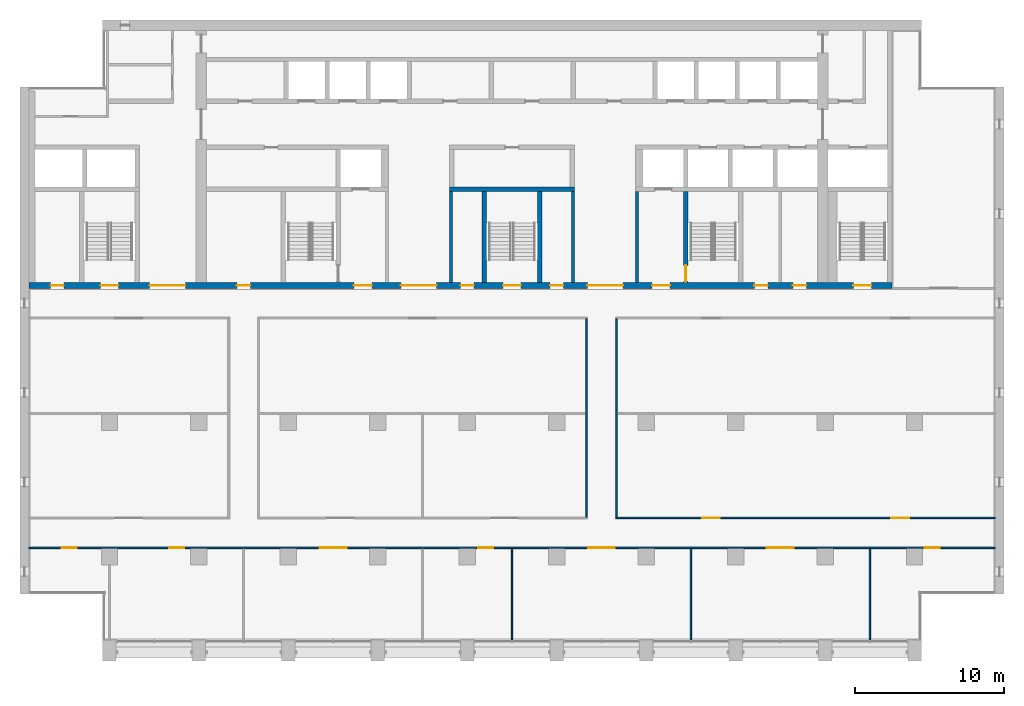
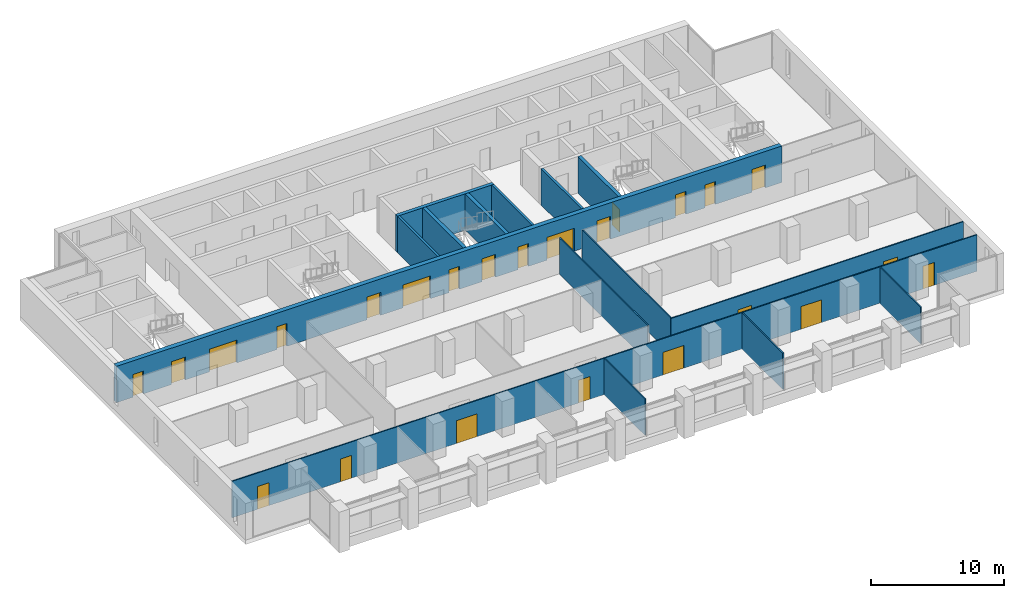
# One storey, part 9 of 17: 24 doors, 15 walls, 24 openings.
"""IFC4 building model written with IfcOpenShell, lengths in metres."""

from ifc_helpers import new_model, si_unit, direction, frame, frame_2d, origin, place, context, subcontext, project, spatial, rectangle, extrude, material, layer, layer_set, type_object, element, fill, save


model = new_model("IFC4")

# Units and contexts
model_context = context("Model", 3, precision=1e-05, world=origin(), true_north=direction((0.0, 1.0)))
body_context = subcontext(model_context, "Body", "Model", "MODEL_VIEW")
ifc_project = project(units=[si_unit("LENGTHUNIT", "METRE"), si_unit("AREAUNIT", "SQUARE_METRE"), si_unit("VOLUMEUNIT", "CUBIC_METRE"), si_unit("PLANEANGLEUNIT", "RADIAN"), si_unit("MASSUNIT", "GRAM", prefix="KILO")], contexts=[model_context])

# Site, building, storey
site_placement = place(None, origin())
site = spatial("IfcSite", under=ifc_project, at=site_placement, CompositionType="ELEMENT")
building_placement = place(site_placement, origin())
building = spatial("IfcBuilding", under=site, at=building_placement, Name="Calvaro Tower", CompositionType="ELEMENT")
storey_placement = place(building_placement, frame((0.0, 0.0, 196.75)))
storey = spatial("IfcBuildingStorey", under=building, at=storey_placement, Name="L49", CompositionType="ELEMENT", Elevation=196.75)

# Walls
ifc_material_1 = material(Name="Blockwork partition", Category="masonry")
ifc_layer_1 = layer(ifc_material_1, 0.199951171875)
ifc_layer_set_1 = layer_set([ifc_layer_1], Name="Blockwork partition")
wall_type_1 = type_object("IfcWallType", Name="Core partition 200 REI 120", PredefinedType="PARTITIONING", material=ifc_layer_set_1)
for number, where, z_axis, x_axis, name in (
    (1, (34.89990234375, 28.39990234375, 0.0), (0.0, 0.0, 1.0), (0.0, 1.0, 0.0), "Core partition"),
    (2, (43.10009765625, 28.39990234375, 0.0), (0.0, 0.0, 1.0), (0.0, 1.0, 0.0), "Core partition"),
    (3, (47.39990234375, 28.39990234375, 0.0), (0.0, 0.0, 1.0), (0.0, 1.0, 0.0), "Core partition"),
):
    element("IfcWall", number, at=place(storey_placement, frame(where, z_axis=z_axis, x_axis=x_axis)), inside=storey, type_object=wall_type_1, Name=name, PredefinedType="PARTITIONING", context=body_context, shape_type="SweptSolid", body=[
        extrude(rectangle(XDim=6.10009765625, YDim=0.199951171875, at=frame_2d((3.050048828125, 0.0))), origin(), (0.0, 0.0, 1.0), 3.35009765625),
    ])
ifc_material_2 = material(Name="Concrete C50/60", Category="concrete")
ifc_layer_2 = layer(ifc_material_2, 0.300048828125)
ifc_layer_set_2 = layer_set([ifc_layer_2], Name="Concrete C50/60")
wall_type_2 = type_object("IfcWallType", Name="Core wall C50/60 300", PredefinedType="SHEAR", material=ifc_layer_set_2)
for number, where, z_axis, x_axis, name in (
    (4, (37.14990234375, 28.39990234375, 0.0), (0.0, 0.0, 1.0), (0.0, 1.0, 0.0), "Core wall, stair enclosure"),
    (5, (40.85009765625, 28.39990234375, 0.0), (0.0, 0.0, 1.0), (0.0, 1.0, 0.0), "Core wall, stair enclosure"),
):
    element("IfcWall", number, at=place(storey_placement, frame(where, z_axis=z_axis, x_axis=x_axis)), inside=storey, type_object=wall_type_2, Name=name, PredefinedType="SHEAR", context=body_context, shape_type="SweptSolid", body=[
        extrude(rectangle(XDim=6.10009765625, YDim=0.300048828125, at=frame_2d((3.050048828125, 0.0))), origin(), (0.0, 0.0, 1.0), 3.35009765625),
    ])

# Wall, opening, door
wall_1_placement = place(storey_placement, frame((50.64990234375, 34.5, 0.0), z_axis=(0.0, 0.0, 1.0), x_axis=(0.0, -1.0, 0.0)))
wall_1 = element("IfcWall", 6, at=wall_1_placement, inside=storey, type_object=wall_type_2, Name="Core wall, stair enclosure", PredefinedType="SHEAR", context=body_context, shape_type="SweptSolid", body=[
    extrude(rectangle(XDim=6.10009765625, YDim=0.300048828125, at=frame_2d((3.050048828125, 0.0))), origin(), (0.0, 0.0, 1.0), 3.35009765625),
])
opening_1_placement = place(wall_1_placement, frame((4.949951171875, 0.0, 0.0)))
opening_1 = element("IfcOpeningElement", 7, at=opening_1_placement, cuts=wall_1, Name="Opening FD11D", PredefinedType="OPENING", context=body_context, shape_type="SweptSolid", body=[
    extrude(rectangle(XDim=1.10009765625, YDim=2.10009765625, at=frame_2d((0.550048828125, 1.050048828125))), frame((0.0, 0.159912109375, 0.0), z_axis=(0.0, -1.0, 0.0), x_axis=(1.0, 0.0, 0.0)), (0.0, 0.0, 1.0), 0.320068359375),
])
ifc_material_3 = material(Name="Steel door set", Category="steel")
door_type_1 = type_object("IfcDoorType", Name="Fire door 1100 FD30S", OperationType="SINGLE_SWING_LEFT", PredefinedType="DOOR", material=ifc_material_3)
door_1_placement = place(opening_1_placement, origin())
door_1 = element("IfcDoor", 8, at=door_1_placement, inside=storey, type_object=door_type_1, Name="Fire door", OperationType="SINGLE_SWING_RIGHT", OverallHeight=2.10009765625, OverallWidth=1.10009765625, PredefinedType="DOOR", context=body_context, shape_type="SweptSolid", body=[
    extrude(rectangle(XDim=1.10009765625, YDim=2.10009765625, at=frame_2d((0.550048828125, 1.050048828125))), frame((0.0, 0.02490234375, 0.0), z_axis=(0.0, -1.0, 0.0), x_axis=(1.0, 0.0, 0.0)), (0.0, 0.0, 1.0), 0.050048828125),
])
fill(opening_1, door_1)

# Wall
wall_2_placement = place(storey_placement, frame((34.800048828125, 34.64990234375, 0.0), z_axis=(0.0, 0.0, 1.0), x_axis=(1.0, 0.0, 0.0)))
element("IfcWall", 9, at=wall_2_placement, inside=storey, type_object=wall_type_2, Name="Core wall, lift shaft", PredefinedType="SHEAR", context=body_context, shape_type="SweptSolid", body=[
    extrude(rectangle(XDim=8.39990234375, YDim=0.300048828125, at=frame_2d((4.199951171875, 0.0))), origin(), (0.0, 0.0, 1.0), 3.35009765625),
])

# Wall, openings, doors
ifc_material_4 = material(Name="Concrete C50/60", Category="concrete")
ifc_layer_3 = layer(ifc_material_4, 0.39990234375)
ifc_layer_set_3 = layer_set([ifc_layer_3], Name="Concrete C50/60")
wall_type_3 = type_object("IfcWallType", Name="Core wall C50/60 400", PredefinedType="SHEAR", material=ifc_layer_set_3)
wall_3_placement = place(storey_placement, frame((6.60009765625, 28.199951171875, 0.0), z_axis=(0.0, 0.0, 1.0), x_axis=(1.0, 0.0, 0.0)))
wall_3 = element("IfcWall", 10, at=wall_3_placement, inside=storey, type_object=wall_type_3, Name="Core wall, front", PredefinedType="SHEAR", context=body_context, shape_type="SweptSolid", body=[
    extrude(rectangle(XDim=57.89990234375, YDim=0.39990234375, at=frame_2d((28.949951171875, 0.0))), origin(), (0.0, 0.0, 1.0), 3.35009765625),
])
opening_2_placement = place(wall_3_placement, frame((13.949951171875, 0.0, 0.0)))
opening_2 = element("IfcOpeningElement", 11, at=opening_2_placement, cuts=wall_3, Name="Opening RD9E", PredefinedType="OPENING", context=body_context, shape_type="SweptSolid", body=[
    extrude(rectangle(XDim=0.89990234375, YDim=2.10009765625, at=frame_2d((0.449951171875, 1.050048828125))), frame((0.0, 0.2099609375, 0.0), z_axis=(0.0, -1.0, 0.0), x_axis=(1.0, 0.0, 0.0)), (0.0, 0.0, 1.0), 0.419921875),
])
opening_3_placement = place(wall_3_placement, frame((48.66259765625, 0.0, 0.0)))
opening_3 = element("IfcOpeningElement", 12, at=opening_3_placement, cuts=wall_3, Name="Opening RD9C", PredefinedType="OPENING", context=body_context, shape_type="SweptSolid", body=[
    extrude(rectangle(XDim=0.89990234375, YDim=2.10009765625, at=frame_2d((0.449951171875, 1.050048828125))), frame((0.0, 0.2099609375, 0.0), z_axis=(0.0, -1.0, 0.0), x_axis=(1.0, 0.0, 0.0)), (0.0, 0.0, 1.0), 0.419921875),
])
opening_4_placement = place(wall_3_placement, frame((51.237548828125, 0.0, 0.0)))
opening_4 = element("IfcOpeningElement", 13, at=opening_4_placement, cuts=wall_3, Name="Opening RD9C", PredefinedType="OPENING", context=body_context, shape_type="SweptSolid", body=[
    extrude(rectangle(XDim=0.89990234375, YDim=2.10009765625, at=frame_2d((0.449951171875, 1.050048828125))), frame((0.0, 0.2099609375, 0.0), z_axis=(0.0, -1.0, 0.0), x_axis=(1.0, 0.0, 0.0)), (0.0, 0.0, 1.0), 0.419921875),
])
opening_5_placement = place(wall_3_placement, frame((1.449951171875, 0.0, 0.0)))
opening_5 = element("IfcOpeningElement", 14, at=opening_5_placement, cuts=wall_3, Name="Opening RD9C", PredefinedType="OPENING", context=body_context, shape_type="SweptSolid", body=[
    extrude(rectangle(XDim=0.89990234375, YDim=2.10009765625, at=frame_2d((0.449951171875, 1.050048828125))), frame((0.0, 0.2099609375, 0.0), z_axis=(0.0, -1.0, 0.0), x_axis=(1.0, 0.0, 0.0)), (0.0, 0.0, 1.0), 0.419921875),
])
opening_6_placement = place(wall_3_placement, frame((4.800048828125, 0.0, 0.0)))
opening_6 = element("IfcOpeningElement", 15, at=opening_6_placement, cuts=wall_3, Name="Opening SD12D", PredefinedType="OPENING", context=body_context, shape_type="SweptSolid", body=[
    extrude(rectangle(XDim=1.199951171875, YDim=2.10009765625, at=frame_2d((0.60009765625, 1.050048828125))), frame((0.0, 0.2099609375, 0.0), z_axis=(0.0, -1.0, 0.0), x_axis=(1.0, 0.0, 0.0)), (0.0, 0.0, 1.0), 0.419921875),
])
opening_7_placement = place(wall_3_placement, frame((31.800048828125, 0.0, 0.0)))
opening_7 = element("IfcOpeningElement", 16, at=opening_7_placement, cuts=wall_3, Name="Opening SD12D", PredefinedType="OPENING", context=body_context, shape_type="SweptSolid", body=[
    extrude(rectangle(XDim=1.199951171875, YDim=2.10009765625, at=frame_2d((0.60009765625, 1.050048828125))), frame((0.0, 0.2099609375, 0.0), z_axis=(0.0, -1.0, 0.0), x_axis=(1.0, 0.0, 0.0)), (0.0, 0.0, 1.0), 0.419921875),
])
opening_8_placement = place(wall_3_placement, frame((55.300048828125, 0.0, 0.0)))
opening_8 = element("IfcOpeningElement", 17, at=opening_8_placement, cuts=wall_3, Name="Opening SD12D", PredefinedType="OPENING", context=body_context, shape_type="SweptSolid", body=[
    extrude(rectangle(XDim=1.199951171875, YDim=2.10009765625, at=frame_2d((0.60009765625, 1.050048828125))), frame((0.0, 0.2099609375, 0.0), z_axis=(0.0, -1.0, 0.0), x_axis=(1.0, 0.0, 0.0)), (0.0, 0.0, 1.0), 0.419921875),
])
opening_9_placement = place(wall_3_placement, frame((21.800048828125, 0.0, 0.0)))
opening_9 = element("IfcOpeningElement", 18, at=opening_9_placement, cuts=wall_3, Name="Opening FD12F", PredefinedType="OPENING", context=body_context, shape_type="SweptSolid", body=[
    extrude(rectangle(XDim=1.199951171875, YDim=2.10009765625, at=frame_2d((0.60009765625, 1.050048828125))), frame((0.0, 0.2099609375, 0.0), z_axis=(0.0, -1.0, 0.0), x_axis=(1.0, 0.0, 0.0)), (0.0, 0.0, 1.0), 0.419921875),
])
opening_10_placement = place(wall_3_placement, frame((41.800048828125, 0.0, 0.0)))
opening_10 = element("IfcOpeningElement", 19, at=opening_10_placement, cuts=wall_3, Name="Opening FD12F", PredefinedType="OPENING", context=body_context, shape_type="SweptSolid", body=[
    extrude(rectangle(XDim=1.199951171875, YDim=2.10009765625, at=frame_2d((0.60009765625, 1.050048828125))), frame((0.0, 0.2099609375, 0.0), z_axis=(0.0, -1.0, 0.0), x_axis=(1.0, 0.0, 0.0)), (0.0, 0.0, 1.0), 0.419921875),
])
opening_11_placement = place(wall_3_placement, frame((24.949951171875, 0.0, 0.0)))
opening_11 = element("IfcOpeningElement", 20, at=opening_11_placement, cuts=wall_3, Name="Opening DD24D", PredefinedType="OPENING", context=body_context, shape_type="SweptSolid", body=[
    extrude(rectangle(XDim=2.39990234375, YDim=2.10009765625, at=frame_2d((1.199951171875, 1.050048828125))), frame((0.0, 0.2099609375, 0.0), z_axis=(0.0, -1.0, 0.0), x_axis=(1.0, 0.0, 0.0)), (0.0, 0.0, 1.0), 0.419921875),
])
opening_12_placement = place(wall_3_placement, frame((37.449951171875, 0.0, 0.0)))
opening_12 = element("IfcOpeningElement", 21, at=opening_12_placement, cuts=wall_3, Name="Opening DD24D", PredefinedType="OPENING", context=body_context, shape_type="SweptSolid", body=[
    extrude(rectangle(XDim=2.39990234375, YDim=2.10009765625, at=frame_2d((1.199951171875, 1.050048828125))), frame((0.0, 0.2099609375, 0.0), z_axis=(0.0, -1.0, 0.0), x_axis=(1.0, 0.0, 0.0)), (0.0, 0.0, 1.0), 0.419921875),
])
opening_13_placement = place(wall_3_placement, frame((8.10009765625, 0.0, 0.0)))
opening_13 = element("IfcOpeningElement", 22, at=opening_13_placement, cuts=wall_3, Name="Opening DD24D", PredefinedType="OPENING", context=body_context, shape_type="SweptSolid", body=[
    extrude(rectangle(XDim=2.39990234375, YDim=2.10009765625, at=frame_2d((1.199951171875, 1.050048828125))), frame((0.0, 0.2099609375, 0.0), z_axis=(0.0, -1.0, 0.0), x_axis=(1.0, 0.0, 0.0)), (0.0, 0.0, 1.0), 0.419921875),
])
opening_14_placement = place(wall_3_placement, frame((28.949951171875, 0.0, 0.0)))
opening_14 = element("IfcOpeningElement", 23, at=opening_14_placement, cuts=wall_3, Name="Opening RD9E", PredefinedType="OPENING", context=body_context, shape_type="SweptSolid", body=[
    extrude(rectangle(XDim=0.89990234375, YDim=2.10009765625, at=frame_2d((0.449951171875, 1.050048828125))), frame((0.0, 0.2099609375, 0.0), z_axis=(0.0, -1.0, 0.0), x_axis=(1.0, 0.0, 0.0)), (0.0, 0.0, 1.0), 0.419921875),
])
opening_15_placement = place(wall_3_placement, frame((34.949951171875, 0.0, 0.0)))
opening_15 = element("IfcOpeningElement", 24, at=opening_15_placement, cuts=wall_3, Name="Opening RD9E", PredefinedType="OPENING", context=body_context, shape_type="SweptSolid", body=[
    extrude(rectangle(XDim=0.89990234375, YDim=2.10009765625, at=frame_2d((0.449951171875, 1.050048828125))), frame((0.0, 0.2099609375, 0.0), z_axis=(0.0, -1.0, 0.0), x_axis=(1.0, 0.0, 0.0)), (0.0, 0.0, 1.0), 0.419921875),
])
ifc_material_5 = material(Name="Steel door set", Category="steel")
door_type_2 = type_object("IfcDoorType", Name="Fire door 1200 FD60S", OperationType="SINGLE_SWING_LEFT", PredefinedType="DOOR", material=ifc_material_5)
door_2_placement = place(opening_9_placement, origin())
door_2 = element("IfcDoor", 25, at=door_2_placement, inside=storey, type_object=door_type_2, Name="Fire door", OperationType="SINGLE_SWING_LEFT", OverallHeight=2.10009765625, OverallWidth=1.199951171875, PredefinedType="DOOR", context=body_context, shape_type="SweptSolid", body=[
    extrude(rectangle(XDim=1.199951171875, YDim=2.10009765625, at=frame_2d((0.60009765625, 1.050048828125))), frame((0.0, 0.02490234375, 0.0), z_axis=(0.0, -1.0, 0.0), x_axis=(1.0, 0.0, 0.0)), (0.0, 0.0, 1.0), 0.050048828125),
])
fill(opening_9, door_2)
door_3_placement = place(opening_10_placement, origin())
door_3 = element("IfcDoor", 26, at=door_3_placement, inside=storey, type_object=door_type_2, Name="Fire door", OperationType="SINGLE_SWING_LEFT", OverallHeight=2.10009765625, OverallWidth=1.199951171875, PredefinedType="DOOR", context=body_context, shape_type="SweptSolid", body=[
    extrude(rectangle(XDim=1.199951171875, YDim=2.10009765625, at=frame_2d((0.60009765625, 1.050048828125))), frame((0.0, 0.02490234375, 0.0), z_axis=(0.0, -1.0, 0.0), x_axis=(1.0, 0.0, 0.0)), (0.0, 0.0, 1.0), 0.050048828125),
])
fill(opening_10, door_3)
ifc_material_6 = material(Name="Steel door set", Category="steel")
door_type_3 = type_object("IfcDoorType", Name="Lobby double door 2400 FD30S", OperationType="DOUBLE_DOOR_SINGLE_SWING", PredefinedType="DOOR", material=ifc_material_6)
door_4_placement = place(opening_11_placement, origin())
door_4 = element("IfcDoor", 27, at=door_4_placement, inside=storey, type_object=door_type_3, Name="Lobby double door", OperationType="DOUBLE_DOOR_SINGLE_SWING", OverallHeight=2.10009765625, OverallWidth=2.39990234375, PredefinedType="DOOR", context=body_context, shape_type="SweptSolid", body=[
    extrude(rectangle(XDim=2.39990234375, YDim=2.10009765625, at=frame_2d((1.199951171875, 1.050048828125))), frame((0.0, 0.02490234375, 0.0), z_axis=(0.0, -1.0, 0.0), x_axis=(1.0, 0.0, 0.0)), (0.0, 0.0, 1.0), 0.050048828125),
])
fill(opening_11, door_4)
door_5_placement = place(opening_12_placement, origin())
door_5 = element("IfcDoor", 28, at=door_5_placement, inside=storey, type_object=door_type_3, Name="Lobby double door", OperationType="DOUBLE_DOOR_SINGLE_SWING", OverallHeight=2.10009765625, OverallWidth=2.39990234375, PredefinedType="DOOR", context=body_context, shape_type="SweptSolid", body=[
    extrude(rectangle(XDim=2.39990234375, YDim=2.10009765625, at=frame_2d((1.199951171875, 1.050048828125))), frame((0.0, 0.02490234375, 0.0), z_axis=(0.0, -1.0, 0.0), x_axis=(1.0, 0.0, 0.0)), (0.0, 0.0, 1.0), 0.050048828125),
])
fill(opening_12, door_5)
door_6_placement = place(opening_13_placement, origin())
door_6 = element("IfcDoor", 29, at=door_6_placement, inside=storey, type_object=door_type_3, Name="Lobby double door", OperationType="DOUBLE_DOOR_SINGLE_SWING", OverallHeight=2.10009765625, OverallWidth=2.39990234375, PredefinedType="DOOR", context=body_context, shape_type="SweptSolid", body=[
    extrude(rectangle(XDim=2.39990234375, YDim=2.10009765625, at=frame_2d((1.199951171875, 1.050048828125))), frame((0.0, 0.02490234375, 0.0), z_axis=(0.0, -1.0, 0.0), x_axis=(1.0, 0.0, 0.0)), (0.0, 0.0, 1.0), 0.050048828125),
])
fill(opening_13, door_6)
ifc_material_7 = material(Name="Steel door set", Category="steel")
door_type_4 = type_object("IfcDoorType", Name="Room door 900 FD30", OperationType="SINGLE_SWING_LEFT", PredefinedType="DOOR", material=ifc_material_7)
door_7_placement = place(opening_3_placement, origin())
door_7 = element("IfcDoor", 30, at=door_7_placement, inside=storey, type_object=door_type_4, Name="Room door", OperationType="SINGLE_SWING_LEFT", OverallHeight=2.10009765625, OverallWidth=0.89990234375, PredefinedType="DOOR", context=body_context, shape_type="SweptSolid", body=[
    extrude(rectangle(XDim=0.89990234375, YDim=2.10009765625, at=frame_2d((0.449951171875, 1.050048828125))), frame((0.0, 0.02490234375, 0.0), z_axis=(0.0, -1.0, 0.0), x_axis=(1.0, 0.0, 0.0)), (0.0, 0.0, 1.0), 0.050048828125),
])
fill(opening_3, door_7)
door_8_placement = place(opening_4_placement, origin())
door_8 = element("IfcDoor", 31, at=door_8_placement, inside=storey, type_object=door_type_4, Name="Room door", OperationType="SINGLE_SWING_LEFT", OverallHeight=2.10009765625, OverallWidth=0.89990234375, PredefinedType="DOOR", context=body_context, shape_type="SweptSolid", body=[
    extrude(rectangle(XDim=0.89990234375, YDim=2.10009765625, at=frame_2d((0.449951171875, 1.050048828125))), frame((0.0, 0.02490234375, 0.0), z_axis=(0.0, -1.0, 0.0), x_axis=(1.0, 0.0, 0.0)), (0.0, 0.0, 1.0), 0.050048828125),
])
fill(opening_4, door_8)
door_9_placement = place(opening_5_placement, origin())
door_9 = element("IfcDoor", 32, at=door_9_placement, inside=storey, type_object=door_type_4, Name="Room door", OperationType="SINGLE_SWING_LEFT", OverallHeight=2.10009765625, OverallWidth=0.89990234375, PredefinedType="DOOR", context=body_context, shape_type="SweptSolid", body=[
    extrude(rectangle(XDim=0.89990234375, YDim=2.10009765625, at=frame_2d((0.449951171875, 1.050048828125))), frame((0.0, 0.02490234375, 0.0), z_axis=(0.0, -1.0, 0.0), x_axis=(1.0, 0.0, 0.0)), (0.0, 0.0, 1.0), 0.050048828125),
])
fill(opening_5, door_9)
ifc_material_8 = material(Name="Steel door set", Category="steel")
door_type_5 = type_object("IfcDoorType", Name="Room door 900 FD60", OperationType="SINGLE_SWING_LEFT", PredefinedType="DOOR", material=ifc_material_8)
door_10_placement = place(opening_2_placement, origin())
door_10 = element("IfcDoor", 33, at=door_10_placement, inside=storey, type_object=door_type_5, Name="Room door", OperationType="SINGLE_SWING_LEFT", OverallHeight=2.10009765625, OverallWidth=0.89990234375, PredefinedType="DOOR", context=body_context, shape_type="SweptSolid", body=[
    extrude(rectangle(XDim=0.89990234375, YDim=2.10009765625, at=frame_2d((0.449951171875, 1.050048828125))), frame((0.0, 0.02490234375, 0.0), z_axis=(0.0, -1.0, 0.0), x_axis=(1.0, 0.0, 0.0)), (0.0, 0.0, 1.0), 0.050048828125),
])
fill(opening_2, door_10)
door_11_placement = place(opening_14_placement, origin())
door_11 = element("IfcDoor", 34, at=door_11_placement, inside=storey, type_object=door_type_5, Name="Room door", OperationType="SINGLE_SWING_LEFT", OverallHeight=2.10009765625, OverallWidth=0.89990234375, PredefinedType="DOOR", context=body_context, shape_type="SweptSolid", body=[
    extrude(rectangle(XDim=0.89990234375, YDim=2.10009765625, at=frame_2d((0.449951171875, 1.050048828125))), frame((0.0, 0.02490234375, 0.0), z_axis=(0.0, -1.0, 0.0), x_axis=(1.0, 0.0, 0.0)), (0.0, 0.0, 1.0), 0.050048828125),
])
fill(opening_14, door_11)
door_12_placement = place(opening_15_placement, origin())
door_12 = element("IfcDoor", 35, at=door_12_placement, inside=storey, type_object=door_type_5, Name="Room door", OperationType="SINGLE_SWING_LEFT", OverallHeight=2.10009765625, OverallWidth=0.89990234375, PredefinedType="DOOR", context=body_context, shape_type="SweptSolid", body=[
    extrude(rectangle(XDim=0.89990234375, YDim=2.10009765625, at=frame_2d((0.449951171875, 1.050048828125))), frame((0.0, 0.02490234375, 0.0), z_axis=(0.0, -1.0, 0.0), x_axis=(1.0, 0.0, 0.0)), (0.0, 0.0, 1.0), 0.050048828125),
])
fill(opening_15, door_12)
ifc_material_9 = material(Name="Steel door set", Category="steel")
door_type_6 = type_object("IfcDoorType", Name="Stair door 1200 FD30S", OperationType="SINGLE_SWING_LEFT", PredefinedType="DOOR", material=ifc_material_9)
door_13_placement = place(opening_6_placement, origin())
door_13 = element("IfcDoor", 36, at=door_13_placement, inside=storey, type_object=door_type_6, Name="Stair door", OperationType="SINGLE_SWING_LEFT", OverallHeight=2.10009765625, OverallWidth=1.199951171875, PredefinedType="DOOR", context=body_context, shape_type="SweptSolid", body=[
    extrude(rectangle(XDim=1.199951171875, YDim=2.10009765625, at=frame_2d((0.60009765625, 1.050048828125))), frame((0.0, 0.02490234375, 0.0), z_axis=(0.0, -1.0, 0.0), x_axis=(1.0, 0.0, 0.0)), (0.0, 0.0, 1.0), 0.050048828125),
])
fill(opening_6, door_13)
door_14_placement = place(opening_7_placement, origin())
door_14 = element("IfcDoor", 37, at=door_14_placement, inside=storey, type_object=door_type_6, Name="Stair door", OperationType="SINGLE_SWING_LEFT", OverallHeight=2.10009765625, OverallWidth=1.199951171875, PredefinedType="DOOR", context=body_context, shape_type="SweptSolid", body=[
    extrude(rectangle(XDim=1.199951171875, YDim=2.10009765625, at=frame_2d((0.60009765625, 1.050048828125))), frame((0.0, 0.02490234375, 0.0), z_axis=(0.0, -1.0, 0.0), x_axis=(1.0, 0.0, 0.0)), (0.0, 0.0, 1.0), 0.050048828125),
])
fill(opening_7, door_14)
door_15_placement = place(opening_8_placement, origin())
door_15 = element("IfcDoor", 38, at=door_15_placement, inside=storey, type_object=door_type_6, Name="Stair door", OperationType="SINGLE_SWING_LEFT", OverallHeight=2.10009765625, OverallWidth=1.199951171875, PredefinedType="DOOR", context=body_context, shape_type="SweptSolid", body=[
    extrude(rectangle(XDim=1.199951171875, YDim=2.10009765625, at=frame_2d((0.60009765625, 1.050048828125))), frame((0.0, 0.02490234375, 0.0), z_axis=(0.0, -1.0, 0.0), x_axis=(1.0, 0.0, 0.0)), (0.0, 0.0, 1.0), 0.050048828125),
])
fill(opening_8, door_15)

ifc_material_10 = material(Name="Plasterboard on steel studs", Category="steel")
ifc_layer_4 = layer(ifc_material_10, 0.10009765625)
ifc_layer_set_4 = layer_set([ifc_layer_4], Name="Plasterboard on steel studs")
wall_type_4 = type_object("IfcWallType", Name="Partition 100", PredefinedType="PARTITIONING", material=ifc_layer_set_4)
wall_4_placement = place(storey_placement, frame((6.60009765625, 10.60009765625, 0.0), z_axis=(0.0, 0.0, 1.0), x_axis=(1.0, 0.0, 0.0)))
wall_4 = element("IfcWall", 39, at=wall_4_placement, inside=storey, type_object=wall_type_4, Name="Partition T28.W001", PredefinedType="PARTITIONING", context=body_context, shape_type="SweptSolid", body=[
    extrude(rectangle(XDim=64.7998046875, YDim=0.10009765625, at=frame_2d((32.39990234375, 0.0))), origin(), (0.0, 0.0, 1.0), 3.35009765625),
])
opening_16_placement = place(wall_4_placement, frame((9.39990234375, 0.0, 0.0)))
opening_16 = element("IfcOpeningElement", 40, at=opening_16_placement, cuts=wall_4, Name="Opening T28.001", PredefinedType="OPENING", context=body_context, shape_type="SweptSolid", body=[
    extrude(rectangle(XDim=1.0, YDim=2.10009765625, at=frame_2d((0.5, 1.050048828125))), frame((0.0, 0.06005859375, 0.0), z_axis=(0.0, -1.0, 0.0), x_axis=(1.0, 0.0, 0.0)), (0.0, 0.0, 1.0), 0.1201171875),
])
opening_17_placement = place(wall_4_placement, frame((19.5, 0.0, 0.0)))
opening_17 = element("IfcOpeningElement", 41, at=opening_17_placement, cuts=wall_4, Name="Opening T28.002", PredefinedType="OPENING", context=body_context, shape_type="SweptSolid", body=[
    extrude(rectangle(XDim=1.800048828125, YDim=2.10009765625, at=frame_2d((0.89990234375, 1.050048828125))), frame((0.0, 0.06005859375, 0.0), z_axis=(0.0, -1.0, 0.0), x_axis=(1.0, 0.0, 0.0)), (0.0, 0.0, 1.0), 0.1201171875),
])
opening_18_placement = place(wall_4_placement, frame((30.14990234375, 0.0, 0.0)))
opening_18 = element("IfcOpeningElement", 42, at=opening_18_placement, cuts=wall_4, Name="Opening T28.003", PredefinedType="OPENING", context=body_context, shape_type="SweptSolid", body=[
    extrude(rectangle(XDim=1.0, YDim=2.10009765625, at=frame_2d((0.5, 1.050048828125))), frame((0.0, 0.06005859375, 0.0), z_axis=(0.0, -1.0, 0.0), x_axis=(1.0, 0.0, 0.0)), (0.0, 0.0, 1.0), 0.1201171875),
])
opening_19_placement = place(wall_4_placement, frame((37.5, 0.0, 0.0)))
opening_19 = element("IfcOpeningElement", 43, at=opening_19_placement, cuts=wall_4, Name="Opening T28.004", PredefinedType="OPENING", context=body_context, shape_type="SweptSolid", body=[
    extrude(rectangle(XDim=1.800048828125, YDim=2.10009765625, at=frame_2d((0.89990234375, 1.050048828125))), frame((0.0, 0.06005859375, 0.0), z_axis=(0.0, -1.0, 0.0), x_axis=(1.0, 0.0, 0.0)), (0.0, 0.0, 1.0), 0.1201171875),
])
opening_20_placement = place(wall_4_placement, frame((49.5, 0.0, 0.0)))
opening_20 = element("IfcOpeningElement", 44, at=opening_20_placement, cuts=wall_4, Name="Opening T28.005", PredefinedType="OPENING", context=body_context, shape_type="SweptSolid", body=[
    extrude(rectangle(XDim=1.800048828125, YDim=2.10009765625, at=frame_2d((0.89990234375, 1.050048828125))), frame((0.0, 0.06005859375, 0.0), z_axis=(0.0, -1.0, 0.0), x_axis=(1.0, 0.0, 0.0)), (0.0, 0.0, 1.0), 0.1201171875),
])
opening_21_placement = place(wall_4_placement, frame((60.10009765625, 0.0, 0.0)))
opening_21 = element("IfcOpeningElement", 45, at=opening_21_placement, cuts=wall_4, Name="Opening T28.006", PredefinedType="OPENING", context=body_context, shape_type="SweptSolid", body=[
    extrude(rectangle(XDim=1.0, YDim=2.10009765625, at=frame_2d((0.5, 1.050048828125))), frame((0.0, 0.06005859375, 0.0), z_axis=(0.0, -1.0, 0.0), x_axis=(1.0, 0.0, 0.0)), (0.0, 0.0, 1.0), 0.1201171875),
])
opening_22_placement = place(wall_4_placement, frame((2.199951171875, 0.0, 0.0)))
opening_22 = element("IfcOpeningElement", 46, at=opening_22_placement, cuts=wall_4, Name="Opening T28.007", PredefinedType="OPENING", context=body_context, shape_type="SweptSolid", body=[
    extrude(rectangle(XDim=1.0, YDim=2.10009765625, at=frame_2d((0.5, 1.050048828125))), frame((0.0, 0.06005859375, 0.0), z_axis=(0.0, -1.0, 0.0), x_axis=(1.0, 0.0, 0.0)), (0.0, 0.0, 1.0), 0.1201171875),
])
ifc_material_11 = material(Name="Timber", Category="wood")
door_type_7 = type_object("IfcDoorType", Name="Internal double door 1800 x 2100", OperationType="DOUBLE_DOOR_SINGLE_SWING", PredefinedType="DOOR", material=ifc_material_11)
door_16_placement = place(opening_17_placement, origin())
door_16 = element("IfcDoor", 47, at=door_16_placement, inside=storey, type_object=door_type_7, Name="Door T28.002", OperationType="DOUBLE_DOOR_SINGLE_SWING", OverallHeight=2.10009765625, OverallWidth=1.800048828125, PredefinedType="DOOR", context=body_context, shape_type="SweptSolid", body=[
    extrude(rectangle(XDim=1.800048828125, YDim=2.10009765625, at=frame_2d((0.89990234375, 1.050048828125))), frame((0.0, 0.02490234375, 0.0), z_axis=(0.0, -1.0, 0.0), x_axis=(1.0, 0.0, 0.0)), (0.0, 0.0, 1.0), 0.050048828125),
])
fill(opening_17, door_16)
door_17_placement = place(opening_19_placement, origin())
door_17 = element("IfcDoor", 48, at=door_17_placement, inside=storey, type_object=door_type_7, Name="Door T28.004", OperationType="DOUBLE_DOOR_SINGLE_SWING", OverallHeight=2.10009765625, OverallWidth=1.800048828125, PredefinedType="DOOR", context=body_context, shape_type="SweptSolid", body=[
    extrude(rectangle(XDim=1.800048828125, YDim=2.10009765625, at=frame_2d((0.89990234375, 1.050048828125))), frame((0.0, 0.02490234375, 0.0), z_axis=(0.0, -1.0, 0.0), x_axis=(1.0, 0.0, 0.0)), (0.0, 0.0, 1.0), 0.050048828125),
])
fill(opening_19, door_17)
door_18_placement = place(opening_20_placement, origin())
door_18 = element("IfcDoor", 49, at=door_18_placement, inside=storey, type_object=door_type_7, Name="Door T28.005", OperationType="DOUBLE_DOOR_SINGLE_SWING", OverallHeight=2.10009765625, OverallWidth=1.800048828125, PredefinedType="DOOR", context=body_context, shape_type="SweptSolid", body=[
    extrude(rectangle(XDim=1.800048828125, YDim=2.10009765625, at=frame_2d((0.89990234375, 1.050048828125))), frame((0.0, 0.02490234375, 0.0), z_axis=(0.0, -1.0, 0.0), x_axis=(1.0, 0.0, 0.0)), (0.0, 0.0, 1.0), 0.050048828125),
])
fill(opening_20, door_18)
ifc_material_12 = material(Name="Timber", Category="wood")
door_type_8 = type_object("IfcDoorType", Name="Internal single door 1000 x 2100", OperationType="SINGLE_SWING_LEFT", PredefinedType="DOOR", material=ifc_material_12)
door_19_placement = place(opening_16_placement, origin())
door_19 = element("IfcDoor", 50, at=door_19_placement, inside=storey, type_object=door_type_8, Name="Door T28.001", OperationType="SINGLE_SWING_LEFT", OverallHeight=2.10009765625, OverallWidth=1.0, PredefinedType="DOOR", context=body_context, shape_type="SweptSolid", body=[
    extrude(rectangle(XDim=1.0, YDim=2.10009765625, at=frame_2d((0.5, 1.050048828125))), frame((0.0, 0.02490234375, 0.0), z_axis=(0.0, -1.0, 0.0), x_axis=(1.0, 0.0, 0.0)), (0.0, 0.0, 1.0), 0.050048828125),
])
fill(opening_16, door_19)
door_20_placement = place(opening_18_placement, origin())
door_20 = element("IfcDoor", 51, at=door_20_placement, inside=storey, type_object=door_type_8, Name="Door T28.003", OperationType="SINGLE_SWING_LEFT", OverallHeight=2.10009765625, OverallWidth=1.0, PredefinedType="DOOR", context=body_context, shape_type="SweptSolid", body=[
    extrude(rectangle(XDim=1.0, YDim=2.10009765625, at=frame_2d((0.5, 1.050048828125))), frame((0.0, 0.02490234375, 0.0), z_axis=(0.0, -1.0, 0.0), x_axis=(1.0, 0.0, 0.0)), (0.0, 0.0, 1.0), 0.050048828125),
])
fill(opening_18, door_20)
door_21_placement = place(opening_21_placement, origin())
door_21 = element("IfcDoor", 52, at=door_21_placement, inside=storey, type_object=door_type_8, Name="Door T28.006", OperationType="SINGLE_SWING_RIGHT", OverallHeight=2.10009765625, OverallWidth=1.0, PredefinedType="DOOR", context=body_context, shape_type="SweptSolid", body=[
    extrude(rectangle(XDim=1.0, YDim=2.10009765625, at=frame_2d((0.5, 1.050048828125))), frame((0.0, 0.02490234375, 0.0), z_axis=(0.0, -1.0, 0.0), x_axis=(1.0, 0.0, 0.0)), (0.0, 0.0, 1.0), 0.050048828125),
])
fill(opening_21, door_21)
door_22_placement = place(opening_22_placement, origin())
door_22 = element("IfcDoor", 53, at=door_22_placement, inside=storey, type_object=door_type_8, Name="Door T28.007", OperationType="SINGLE_SWING_LEFT", OverallHeight=2.10009765625, OverallWidth=1.0, PredefinedType="DOOR", context=body_context, shape_type="SweptSolid", body=[
    extrude(rectangle(XDim=1.0, YDim=2.10009765625, at=frame_2d((0.5, 1.050048828125))), frame((0.0, 0.02490234375, 0.0), z_axis=(0.0, -1.0, 0.0), x_axis=(1.0, 0.0, 0.0)), (0.0, 0.0, 1.0), 0.050048828125),
])
fill(opening_22, door_22)

wall_5_placement = place(storey_placement, frame((45.949951171875, 12.60009765625, 0.0), z_axis=(0.0, 0.0, 1.0), x_axis=(1.0, 0.0, 0.0)))
wall_5 = element("IfcWall", 54, at=wall_5_placement, inside=storey, type_object=wall_type_4, Name="Partition T28.W004", PredefinedType="PARTITIONING", context=body_context, shape_type="SweptSolid", body=[
    extrude(rectangle(XDim=25.449951171875, YDim=0.10009765625, at=frame_2d((12.72509765625, 0.0))), origin(), (0.0, 0.0, 1.0), 3.35009765625),
])
opening_23_placement = place(wall_5_placement, frame((5.800048828125, 0.0, 0.0)))
opening_23 = element("IfcOpeningElement", 55, at=opening_23_placement, cuts=wall_5, Name="Opening T28.011", PredefinedType="OPENING", context=body_context, shape_type="SweptSolid", body=[
    extrude(rectangle(XDim=1.199951171875, YDim=2.10009765625, at=frame_2d((0.60009765625, 1.050048828125))), frame((0.0, 0.06005859375, 0.0), z_axis=(0.0, -1.0, 0.0), x_axis=(1.0, 0.0, 0.0)), (0.0, 0.0, 1.0), 0.1201171875),
])
opening_24_placement = place(wall_5_placement, frame((18.5, 0.0, 0.0)))
opening_24 = element("IfcOpeningElement", 56, at=opening_24_placement, cuts=wall_5, Name="Opening T28.012", PredefinedType="OPENING", context=body_context, shape_type="SweptSolid", body=[
    extrude(rectangle(XDim=1.199951171875, YDim=2.10009765625, at=frame_2d((0.60009765625, 1.050048828125))), frame((0.0, 0.06005859375, 0.0), z_axis=(0.0, -1.0, 0.0), x_axis=(1.0, 0.0, 0.0)), (0.0, 0.0, 1.0), 0.1201171875),
])
ifc_material_13 = material(Name="Timber", Category="wood")
door_type_9 = type_object("IfcDoorType", Name="Internal single door 1200 x 2100", OperationType="SINGLE_SWING_LEFT", PredefinedType="DOOR", material=ifc_material_13)
door_23_placement = place(opening_23_placement, origin())
door_23 = element("IfcDoor", 57, at=door_23_placement, inside=storey, type_object=door_type_9, Name="Door T28.011", OperationType="SINGLE_SWING_LEFT", OverallHeight=2.10009765625, OverallWidth=1.199951171875, PredefinedType="DOOR", context=body_context, shape_type="SweptSolid", body=[
    extrude(rectangle(XDim=1.199951171875, YDim=2.10009765625, at=frame_2d((0.60009765625, 1.050048828125))), frame((0.0, 0.02490234375, 0.0), z_axis=(0.0, -1.0, 0.0), x_axis=(1.0, 0.0, 0.0)), (0.0, 0.0, 1.0), 0.050048828125),
])
fill(opening_23, door_23)
door_24_placement = place(opening_24_placement, origin())
door_24 = element("IfcDoor", 58, at=door_24_placement, inside=storey, type_object=door_type_9, Name="Door T28.012", OperationType="SINGLE_SWING_RIGHT", OverallHeight=2.10009765625, OverallWidth=1.199951171875, PredefinedType="DOOR", context=body_context, shape_type="SweptSolid", body=[
    extrude(rectangle(XDim=1.199951171875, YDim=2.10009765625, at=frame_2d((0.60009765625, 1.050048828125))), frame((0.0, 0.02490234375, 0.0), z_axis=(0.0, -1.0, 0.0), x_axis=(1.0, 0.0, 0.0)), (0.0, 0.0, 1.0), 0.050048828125),
])
fill(opening_24, door_24)

# Walls
wall_6_placement = place(storey_placement, frame((39.0, 4.39990234375, 0.0), z_axis=(0.0, 0.0, 1.0), x_axis=(0.0, 1.0, 0.0)))
element("IfcWall", 59, at=wall_6_placement, inside=storey, type_object=wall_type_4, Name="Partition T28.W018", PredefinedType="PARTITIONING", context=body_context, shape_type="SweptSolid", body=[
    extrude(rectangle(XDim=6.150146484375, YDim=0.10009765625, at=frame_2d((3.0751953125, 0.0))), origin(), (0.0, 0.0, 1.0), 3.35009765625),
])
for number, where, z_axis, x_axis, name in (
    (60, (44.0, 12.64990234375, 0.0), (0.0, 0.0, 1.0), (0.0, 1.0, 0.0), "Partition T28.W019"),
    (61, (46.0, 12.64990234375, 0.0), (0.0, 0.0, 1.0), (0.0, 1.0, 0.0), "Partition T28.W020"),
):
    element("IfcWall", number, at=place(storey_placement, frame(where, z_axis=z_axis, x_axis=x_axis)), inside=storey, type_object=wall_type_4, Name=name, PredefinedType="PARTITIONING", context=body_context, shape_type="SweptSolid", body=[
        extrude(rectangle(XDim=13.300048828125, YDim=0.10009765625, at=frame_2d((6.64990234375, 0.0))), origin(), (0.0, 0.0, 1.0), 3.35009765625),
    ])
for number, where, z_axis, x_axis, name in (
    (62, (51.0, 4.39990234375, 0.0), (0.0, 0.0, 1.0), (0.0, 1.0, 0.0), "Partition T28.W021"),
    (63, (63.0, 4.39990234375, 0.0), (0.0, 0.0, 1.0), (0.0, 1.0, 0.0), "Partition T28.W022"),
):
    element("IfcWall", number, at=place(storey_placement, frame(where, z_axis=z_axis, x_axis=x_axis)), inside=storey, type_object=wall_type_4, Name=name, PredefinedType="PARTITIONING", context=body_context, shape_type="SweptSolid", body=[
        extrude(rectangle(XDim=6.150146484375, YDim=0.10009765625, at=frame_2d((3.0751953125, 0.0))), origin(), (0.0, 0.0, 1.0), 3.35009765625),
    ])

save(model, "model.ifc")
